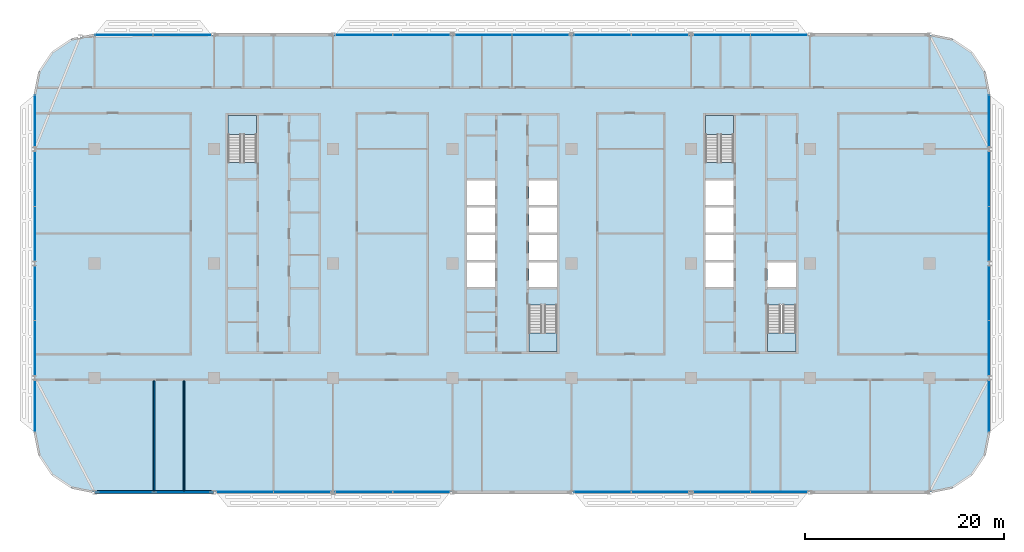
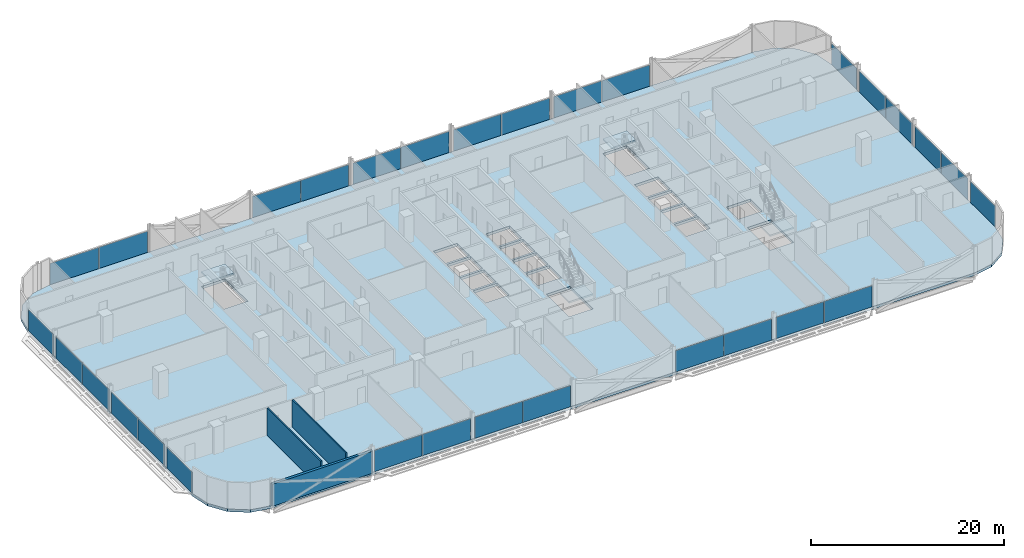
# One storey, part 10 of 27: 30 plates, 5 slabs, 3 walls, 21 elements without a shape of their own.
"""IFC4 building model written with IfcOpenShell, lengths in metres."""

import ifcopenshell
import ifcopenshell.guid

model = None  # the IFC model being written
_history = None  # IfcOwnerHistory: only IFC2X3 demands one
_inside = {}  # id of a spatial element -> (the spatial element, [elements in it])
_under = {}  # id of a project, library or spatial element -> (it, [spatial elements below it])
_declared = {}  # id of a project -> (the project, [libraries it declares])
_typed = {}  # id of a type object -> (the type object, [elements of that type])
_made_of = {}  # id of a material, layer set ... -> (it, [elements and type objects made of it])


def new_model(schema):
    """Start an empty IFC model of exactly this schema.

    Asked for "IFC4X3", IfcOpenShell would pick the latest addendum, in which some entities
    have other attributes; the version numbers below select the first issue.
    IFC2X3 requires an IfcOwnerHistory on every rooted entity: one is made here for all.
    """
    global model, _history
    if schema == "IFC4X3":
        model = ifcopenshell.file(schema_version=(4, 3, 0, 0))
    else:
        model = ifcopenshell.file(schema=schema)
    _inside.clear()
    _under.clear()
    _declared.clear()
    _typed.clear()
    _made_of.clear()
    _history = None
    if model.schema == "IFC2X3":
        org = make("IfcOrganization", Name="unknown")
        user = make(
            "IfcPersonAndOrganization",
            ThePerson=make("IfcPerson", FamilyName="unknown"),
            TheOrganization=org,
        )
        app = make(
            "IfcApplication",
            ApplicationDeveloper=org,
            Version="unknown",
            ApplicationFullName="unknown",
            ApplicationIdentifier="unknown",
        )
        _history = make(
            "IfcOwnerHistory",
            OwningUser=user,
            OwningApplication=app,
            ChangeAction="ADDED",
            CreationDate=0,
        )
    return model


def make(cls, **values):
    """One entity of the class cls with the attributes given. An attribute that is None is left unset."""
    return model.create_entity(
        cls, **{name: value for name, value in values.items() if value is not None}
    )


def rooted(cls, **values):
    """An entity with a GlobalId (a new one), such as an element, a storey or a relation."""
    return make(cls, GlobalId=ifcopenshell.guid.new(), OwnerHistory=_history, **values)


def si_unit(unit_type, name, prefix=None):
    """IfcSIUnit, for example si_unit("LENGTHUNIT", "METRE", prefix="MILLI")."""
    return make("IfcSIUnit", UnitType=unit_type, Prefix=prefix, Name=name)


def assignment(units):
    """IfcUnitAssignment: the units of a project."""
    return None if units is None else make("IfcUnitAssignment", Units=units)


def point(xyz):
    """IfcCartesianPoint."""
    return None if xyz is None else make("IfcCartesianPoint", Coordinates=xyz)


def direction(xyz):
    """IfcDirection."""
    return None if xyz is None else make("IfcDirection", DirectionRatios=xyz)


def frame(location, z_axis=None, x_axis=None):
    """IfcAxis2Placement3D, a coordinate frame: its origin and axes. An axis left out is left unset."""
    return make(
        "IfcAxis2Placement3D",
        Location=point(location),
        Axis=direction(z_axis),
        RefDirection=direction(x_axis),
    )


def frame_2d(location, x_axis=None):
    """IfcAxis2Placement2D, a coordinate frame in the plane: its origin and x axis."""
    return make(
        "IfcAxis2Placement2D", Location=point(location), RefDirection=direction(x_axis)
    )


def origin():
    """The frame at (0, 0, 0) with its axes left unset."""
    return frame((0.0, 0.0, 0.0))


def origin_2d():
    """The frame at (0, 0) in the plane with its x axis left unset."""
    return frame_2d((0.0, 0.0))


def place(relative_to, where):
    """IfcLocalPlacement: puts the frame where relative to a parent placement (None: the world)."""
    return make(
        "IfcLocalPlacement", PlacementRelTo=relative_to, RelativePlacement=where
    )


def context(
    kind, dimensions, precision=None, world=None, true_north=None, identifier=None
):
    """IfcGeometricRepresentationContext, for example the 3D "Model" context."""
    return make(
        "IfcGeometricRepresentationContext",
        ContextIdentifier=identifier,
        ContextType=kind,
        CoordinateSpaceDimension=dimensions,
        Precision=precision,
        WorldCoordinateSystem=world,
        TrueNorth=true_north,
    )


def subcontext(parent, identifier, kind, view, scale=None):
    """IfcGeometricRepresentationSubContext, for example "Body" below "Model"."""
    return make(
        "IfcGeometricRepresentationSubContext",
        ContextIdentifier=identifier,
        ContextType=kind,
        ParentContext=parent,
        TargetScale=scale,
        TargetView=view,
    )


def project(units=None, contexts=None):
    """IfcProject with its units and contexts."""
    return rooted(
        "IfcProject",
        Name="project",
        RepresentationContexts=contexts,
        UnitsInContext=assignment(units),
    )


def spatial(cls, under=None, at=None, **own):
    """A site, building, storey or space (cls), placed at a placement, below another one or the project."""
    s = rooted(cls, ObjectPlacement=at, **own)
    if under is not None:
        _under.setdefault(under.id(), (under, []))[1].append(s)
    return s


def polyline(points):
    """IfcPolyline through the points."""
    return make("IfcPolyline", Points=[point(p) for p in points])


def profile(cls, at=None, kind="AREA", **sizes):
    """A parametric profile (cls). Its sizes go by their IFC names, for example OverallWidth=200.0."""
    return make(cls, ProfileType=kind, Position=at, **sizes)


def rectangle(**sizes):
    """IfcRectangleProfileDef."""
    return profile("IfcRectangleProfileDef", **sizes)


def outline(outer, holes=None, kind="AREA"):
    """IfcArbitraryClosedProfileDef: a profile drawn as a closed curve; with holes, ...WithVoids."""
    if holes is None:
        return make("IfcArbitraryClosedProfileDef", ProfileType=kind, OuterCurve=outer)
    return make(
        "IfcArbitraryProfileDefWithVoids",
        ProfileType=kind,
        OuterCurve=outer,
        InnerCurves=holes,
    )


def extrude(swept, where, along, depth):
    """IfcExtrudedAreaSolid: the profile swept, set in the frame where, extruded along a direction by depth."""
    return make(
        "IfcExtrudedAreaSolid",
        SweptArea=swept,
        Position=where,
        ExtrudedDirection=direction(along),
        Depth=depth,
    )


def shape(context_of_items, identifier, shape_type, items):
    """IfcShapeRepresentation: the items that make up one representation, for example the "Body"."""
    return make(
        "IfcShapeRepresentation",
        ContextOfItems=context_of_items,
        RepresentationIdentifier=identifier,
        RepresentationType=shape_type,
        Items=items,
    )


def material(Name=None, Category=None):
    """IfcMaterial."""
    return make("IfcMaterial", Name=Name, Category=Category)


def layer(
    of_material, thickness, ventilated=None, Name=None, Category=None, Priority=None
):
    """IfcMaterialLayer: one layer of a wall or slab, of a material (None: an air gap)."""
    return make(
        "IfcMaterialLayer",
        Material=of_material,
        LayerThickness=thickness,
        IsVentilated=ventilated,
        Name=Name,
        Category=Category,
        Priority=Priority,
    )


def layer_set(layers, Name=None):
    """IfcMaterialLayerSet."""
    return make("IfcMaterialLayerSet", MaterialLayers=layers, LayerSetName=Name)


def made_of(thing, what):
    """Note that an element or type object is made of a material, layer set ...; save() writes the relation."""
    if what is not None:
        _made_of.setdefault(what.id(), (what, []))[1].append(thing)
    return thing


def type_object(cls, material=None, **own):
    """A type object (cls), such as IfcWallType, which elements share."""
    return made_of(rooted(cls, **own), material)


def element(
    cls,
    number,
    at=None,
    inside=None,
    cuts=None,
    type_object=None,
    material=None,
    context=None,
    identifier="Body",
    shape_type=None,
    held_by="IfcProductDefinitionShape",
    body=None,
    shapes=None,
    **own,
):
    """One element of the class cls, such as IfcWall. Its Tag is "e" and its number.

    at: its placement. inside: the storey or other place that contains it. cuts: it is an
    opening in that element (IfcRelVoidsElement). A single representation is given by context,
    identifier, shape_type and body (its items); several are given by shapes. held_by: the class
    of the entity that holds the representations. save() writes the other relations.
    """
    e = rooted(cls, Tag="e%d" % number, ObjectPlacement=at, **own)
    if body is not None:
        shapes = [shape(context, identifier, shape_type, body)]
    if shapes is not None:
        e.Representation = make(held_by, Representations=shapes)
    if inside is not None:
        _inside.setdefault(inside.id(), (inside, []))[1].append(e)
    if cuts is not None:
        rooted(
            "IfcRelVoidsElement", RelatingBuildingElement=cuts, RelatedOpeningElement=e
        )
    if type_object is not None:
        _typed.setdefault(type_object.id(), (type_object, []))[1].append(e)
    return made_of(e, material)


def aggregate(whole, parts):
    """IfcRelAggregates: a whole, such as a stair, and the parts it consists of."""
    return rooted("IfcRelAggregates", RelatingObject=whole, RelatedObjects=parts)


def save(model, path):
    """Write the relations noted so far, then the file.

    IfcRelAggregates (storeys below a building ...), IfcRelContainedInSpatialStructure (elements
    in a storey), IfcRelDefinesByType, IfcRelAssociatesMaterial and IfcRelDeclares: one each for
    every whole, place, type object, material and project.
    """
    for whole, parts in _under.values():
        aggregate(whole, parts)
    for where, things in _inside.values():
        rooted(
            "IfcRelContainedInSpatialStructure",
            RelatedElements=things,
            RelatingStructure=where,
        )
    for kind, things in _typed.values():
        rooted("IfcRelDefinesByType", RelatedObjects=things, RelatingType=kind)
    for what, things in _made_of.values():
        rooted("IfcRelAssociatesMaterial", RelatedObjects=things, RelatingMaterial=what)
    for by, libraries in _declared.values():
        rooted("IfcRelDeclares", RelatingContext=by, RelatedDefinitions=libraries)
    model.write(path)


model = new_model("IFC4")

# Units and contexts
model_context = context("Model", 3, precision=1e-05, world=origin(), true_north=direction((0.0, 1.0)))
body_context = subcontext(model_context, "Body", "Model", "MODEL_VIEW")
ifc_project = project(units=[si_unit("LENGTHUNIT", "METRE"), si_unit("AREAUNIT", "SQUARE_METRE"), si_unit("VOLUMEUNIT", "CUBIC_METRE"), si_unit("PLANEANGLEUNIT", "RADIAN"), si_unit("MASSUNIT", "GRAM", prefix="KILO")], contexts=[model_context])

# Site, building, storey
site_placement = place(None, origin())
site = spatial("IfcSite", under=ifc_project, at=site_placement, CompositionType="ELEMENT")
building_placement = place(site_placement, origin())
building = spatial("IfcBuilding", under=site, at=building_placement, Name="Mahtab Terrace Research Tower", CompositionType="ELEMENT")
storey_placement = place(building_placement, frame((0.0, 0.0, 166.800048828125)))
storey = spatial("IfcBuildingStorey", under=building, at=storey_placement, Name="L39", CompositionType="ELEMENT", Elevation=166.800048828125)

# Stair, slab
ifc_material_1 = material(Name="Exit stair half-turn")
stair_type = type_object("IfcStairType", Name="Exit stair half-turn", PredefinedType="HALF_TURN_STAIR", material=ifc_material_1)
stair_1_placement = place(storey_placement, origin())
stair_1 = element("IfcStair", 1, at=stair_1_placement, inside=storey, type_object=stair_type, Name="L39 Protected exit stair ST1", PredefinedType="HALF_TURN_STAIR")
ifc_material_2 = material(Name="Concrete C40/50", Category="concrete")
ifc_layer_1 = layer(ifc_material_2, 0.199951171875)
ifc_layer_set_1 = layer_set([ifc_layer_1], Name="Exit stair landing 200")
slab_type_1 = type_object("IfcSlabType", Name="Exit stair landing 200", PredefinedType="LANDING", material=ifc_layer_set_1)
slab_1_placement = place(storey_placement, frame((0.0, 0.0, 1.699951171875)))
slab_1 = element("IfcSlab", 2, at=slab_1_placement, type_object=slab_type_1, Name="ST1 landing 1", PredefinedType="LANDING", context=body_context, shape_type="SweptSolid", body=[
    extrude(outline(polyline([(-25.699951171875, 12.97509765625), (-25.699951171875, 14.875), (-28.550048828125, 14.875), (-28.550048828125, 12.97509765625), (-25.699951171875, 12.97509765625)])), origin(), (0.0, 0.0, 1.0), 0.199951171875),
])
aggregate(stair_1, [slab_1])

stair_2_placement = place(storey_placement, origin())
stair_2 = element("IfcStair", 3, at=stair_2_placement, inside=storey, type_object=stair_type, Name="L39 Protected exit stair ST2", PredefinedType="HALF_TURN_STAIR")
slab_2_placement = place(storey_placement, frame((0.0, 0.0, 1.699951171875)))
slab_2 = element("IfcSlab", 4, at=slab_2_placement, type_object=slab_type_1, Name="ST2 landing 1", PredefinedType="LANDING", context=body_context, shape_type="SweptSolid", body=[
    extrude(outline(polyline([(1.699951171875, -6.97509765625), (1.699951171875, -8.875), (4.550048828125, -8.875), (4.550048828125, -6.97509765625), (1.699951171875, -6.97509765625)])), origin(), (0.0, 0.0, 1.0), 0.199951171875),
])
aggregate(stair_2, [slab_2])

stair_3_placement = place(storey_placement, origin())
stair_3 = element("IfcStair", 5, at=stair_3_placement, inside=storey, type_object=stair_type, Name="L39 Protected exit stair ST3", PredefinedType="HALF_TURN_STAIR")
slab_3_placement = place(storey_placement, frame((0.0, 0.0, 1.699951171875)))
slab_3 = element("IfcSlab", 6, at=slab_3_placement, type_object=slab_type_1, Name="ST3 landing 1", PredefinedType="LANDING", context=body_context, shape_type="SweptSolid", body=[
    extrude(outline(polyline([(22.300048828125, 12.97509765625), (22.300048828125, 14.875), (19.449951171875, 14.875), (19.449951171875, 12.97509765625), (22.300048828125, 12.97509765625)])), origin(), (0.0, 0.0, 1.0), 0.199951171875),
])
aggregate(stair_3, [slab_3])

stair_4_placement = place(storey_placement, origin())
stair_4 = element("IfcStair", 7, at=stair_4_placement, inside=storey, type_object=stair_type, Name="L39 Protected exit stair ST4", PredefinedType="HALF_TURN_STAIR")
slab_4_placement = place(storey_placement, frame((0.0, 0.0, 1.699951171875)))
slab_4 = element("IfcSlab", 8, at=slab_4_placement, type_object=slab_type_1, Name="ST4 landing 1", PredefinedType="LANDING", context=body_context, shape_type="SweptSolid", body=[
    extrude(outline(polyline([(25.699951171875, -6.97509765625), (25.699951171875, -8.875), (28.550048828125, -8.875), (28.550048828125, -6.97509765625), (25.699951171875, -6.97509765625)])), origin(), (0.0, 0.0, 1.0), 0.199951171875),
])
aggregate(stair_4, [slab_4])

# Curtain wall, plates
ifc_material_3 = material(Name="Laboratory ribbon curtain wall")
curtain_wall_type = type_object("IfcCurtainWallType", Name="Laboratory ribbon curtain wall", PredefinedType="NOTDEFINED", material=ifc_material_3)
curtain_wall_1_placement = place(storey_placement, origin())
curtain_wall_1 = element("IfcCurtainWall", 9, at=curtain_wall_1_placement, inside=storey, type_object=curtain_wall_type, Name="EN.L39.3.4", PredefinedType="NOTDEFINED")
ifc_material_4 = material(Name="Dark glazing", Category="glass")
ifc_layer_2 = layer(ifc_material_4, 0.031982421875)
ifc_layer_set_2 = layer_set([ifc_layer_2], Name="Laboratory ribbon curtain wall glazing panel")
plate_type = type_object("IfcPlateType", Name="Laboratory ribbon curtain wall glazing panel", PredefinedType="CURTAIN_PANEL", material=ifc_layer_set_2)
plate_1_placement = place(storey_placement, frame((26.879638671875, 23.0, 0.0), z_axis=(0.0, 0.0, 1.0), x_axis=(-1.0, 0.0, 0.0)))
plate_1 = element("IfcPlate", 10, at=plate_1_placement, type_object=plate_type, Name="CWL-5 panel 1", PredefinedType="CURTAIN_PANEL", context=body_context, shape_type="SweptSolid", body=[
    extrude(rectangle(XDim=5.694580078125, YDim=0.031982421875, at=origin_2d()), origin(), (0.0, 0.0, 1.0), 2.681884765625),
])
plate_2_placement = place(storey_placement, frame((21.120361328125, 23.0, 0.0), z_axis=(0.0, 0.0, 1.0), x_axis=(-1.0, 0.0, 0.0)))
plate_2 = element("IfcPlate", 11, at=plate_2_placement, type_object=plate_type, Name="CWL-5 panel 2", PredefinedType="CURTAIN_PANEL", context=body_context, shape_type="SweptSolid", body=[
    extrude(rectangle(XDim=5.694580078125, YDim=0.031982421875, at=origin_2d()), origin(), (0.0, 0.0, 1.0), 2.681884765625),
])
aggregate(curtain_wall_1, [plate_1, plate_2])

curtain_wall_2_placement = place(storey_placement, origin())
curtain_wall_2 = element("IfcCurtainWall", 12, at=curtain_wall_2_placement, inside=storey, type_object=curtain_wall_type, Name="EN.L39.3.5", PredefinedType="NOTDEFINED")
plate_3_placement = place(storey_placement, frame((14.879638671875, 23.0, 0.0), z_axis=(0.0, 0.0, 1.0), x_axis=(-1.0, 0.0, 0.0)))
plate_3 = element("IfcPlate", 13, at=plate_3_placement, type_object=plate_type, Name="CWL-5 panel 1", PredefinedType="CURTAIN_PANEL", context=body_context, shape_type="SweptSolid", body=[
    extrude(rectangle(XDim=5.694580078125, YDim=0.031982421875, at=origin_2d()), origin(), (0.0, 0.0, 1.0), 2.681884765625),
])
plate_4_placement = place(storey_placement, frame((9.120361328125, 23.0, 0.0), z_axis=(0.0, 0.0, 1.0), x_axis=(-1.0, 0.0, 0.0)))
plate_4 = element("IfcPlate", 14, at=plate_4_placement, type_object=plate_type, Name="CWL-5 panel 2", PredefinedType="CURTAIN_PANEL", context=body_context, shape_type="SweptSolid", body=[
    extrude(rectangle(XDim=5.694580078125, YDim=0.031982421875, at=origin_2d()), origin(), (0.0, 0.0, 1.0), 2.681884765625),
])
aggregate(curtain_wall_2, [plate_3, plate_4])

curtain_wall_3_placement = place(storey_placement, origin())
curtain_wall_3 = element("IfcCurtainWall", 15, at=curtain_wall_3_placement, inside=storey, type_object=curtain_wall_type, Name="EN.L39.3.6", PredefinedType="NOTDEFINED")
plate_5_placement = place(storey_placement, frame((2.879638671875, 23.0, 0.0), z_axis=(0.0, 0.0, 1.0), x_axis=(-1.0, 0.0, 0.0)))
plate_5 = element("IfcPlate", 16, at=plate_5_placement, type_object=plate_type, Name="CWL-5 panel 1", PredefinedType="CURTAIN_PANEL", context=body_context, shape_type="SweptSolid", body=[
    extrude(rectangle(XDim=5.694580078125, YDim=0.031982421875, at=origin_2d()), origin(), (0.0, 0.0, 1.0), 2.681884765625),
])
plate_6_placement = place(storey_placement, frame((-2.879638671875, 23.0, 0.0), z_axis=(0.0, 0.0, 1.0), x_axis=(-1.0, 0.0, 0.0)))
plate_6 = element("IfcPlate", 17, at=plate_6_placement, type_object=plate_type, Name="CWL-5 panel 2", PredefinedType="CURTAIN_PANEL", context=body_context, shape_type="SweptSolid", body=[
    extrude(rectangle(XDim=5.694580078125, YDim=0.031982421875, at=origin_2d()), origin(), (0.0, 0.0, 1.0), 2.681884765625),
])
aggregate(curtain_wall_3, [plate_5, plate_6])

curtain_wall_4_placement = place(storey_placement, origin())
curtain_wall_4 = element("IfcCurtainWall", 18, at=curtain_wall_4_placement, inside=storey, type_object=curtain_wall_type, Name="EN.L39.3.7", PredefinedType="NOTDEFINED")
plate_7_placement = place(storey_placement, frame((-9.120361328125, 23.0, 0.0), z_axis=(0.0, 0.0, 1.0), x_axis=(-1.0, 0.0, 0.0)))
plate_7 = element("IfcPlate", 19, at=plate_7_placement, type_object=plate_type, Name="CWL-5 panel 1", PredefinedType="CURTAIN_PANEL", context=body_context, shape_type="SweptSolid", body=[
    extrude(rectangle(XDim=5.694580078125, YDim=0.031982421875, at=origin_2d()), origin(), (0.0, 0.0, 1.0), 2.681884765625),
])
plate_8_placement = place(storey_placement, frame((-14.879638671875, 23.0, 0.0), z_axis=(0.0, 0.0, 1.0), x_axis=(-1.0, 0.0, 0.0)))
plate_8 = element("IfcPlate", 20, at=plate_8_placement, type_object=plate_type, Name="CWL-5 panel 2", PredefinedType="CURTAIN_PANEL", context=body_context, shape_type="SweptSolid", body=[
    extrude(rectangle(XDim=5.694580078125, YDim=0.031982421875, at=origin_2d()), origin(), (0.0, 0.0, 1.0), 2.681884765625),
])
aggregate(curtain_wall_4, [plate_7, plate_8])

curtain_wall_5_placement = place(storey_placement, origin())
curtain_wall_5 = element("IfcCurtainWall", 21, at=curtain_wall_5_placement, inside=storey, type_object=curtain_wall_type, Name="EN.L39.3.9", PredefinedType="NOTDEFINED")
plate_9_placement = place(storey_placement, frame((-33.17236328125, 23.0, 0.0), z_axis=(0.0, 0.0, 1.0), x_axis=(-1.0, 0.0, 0.0)))
plate_9 = element("IfcPlate", 22, at=plate_9_placement, type_object=plate_type, Name="CWL-5 panel 1", PredefinedType="CURTAIN_PANEL", context=body_context, shape_type="SweptSolid", body=[
    extrude(rectangle(XDim=5.798583984375, YDim=0.031982421875, at=origin_2d()), origin(), (0.0, 0.0, 1.0), 2.681884765625),
])
plate_10_placement = place(storey_placement, frame((-39.03564453125, 23.0, 0.0), z_axis=(0.0, 0.0, 1.0), x_axis=(-1.0, 0.0, 0.0)))
plate_10 = element("IfcPlate", 23, at=plate_10_placement, type_object=plate_type, Name="CWL-5 panel 2", PredefinedType="CURTAIN_PANEL", context=body_context, shape_type="SweptSolid", body=[
    extrude(rectangle(XDim=5.798583984375, YDim=0.031982421875, at=origin_2d()), origin(), (0.0, 0.0, 1.0), 2.681884765625),
])
aggregate(curtain_wall_5, [plate_9, plate_10])

# Curtain wall, plate
curtain_wall_6_placement = place(storey_placement, origin())
curtain_wall_6 = element("IfcCurtainWall", 24, at=curtain_wall_6_placement, inside=storey, type_object=curtain_wall_type, Name="EN.L39.8.15", PredefinedType="NOTDEFINED")
plate_11_placement = place(storey_placement, frame((-48.0, 14.35400390625, 0.0), z_axis=(0.0, 0.0, 1.0), x_axis=(0.0, -1.0, 0.0)))
plate_11 = element("IfcPlate", 25, at=plate_11_placement, type_object=plate_type, Name="CWL-5 panel 1", PredefinedType="CURTAIN_PANEL", context=body_context, shape_type="SweptSolid", body=[
    extrude(rectangle(XDim=5.162109375, YDim=0.031982421875, at=origin_2d()), origin(), (0.0, 0.0, 1.0), 2.681884765625),
])
aggregate(curtain_wall_6, [plate_11])

# Curtain wall, plates
curtain_wall_7_placement = place(storey_placement, origin())
curtain_wall_7 = element("IfcCurtainWall", 26, at=curtain_wall_7_placement, inside=storey, type_object=curtain_wall_type, Name="EN.L39.8.16", PredefinedType="NOTDEFINED")
plate_12_placement = place(storey_placement, frame((-48.0, 8.504638671875, 0.0), z_axis=(0.0, 0.0, 1.0), x_axis=(0.0, -1.0, 0.0)))
plate_12 = element("IfcPlate", 27, at=plate_12_placement, type_object=plate_type, Name="CWL-5 panel 1", PredefinedType="CURTAIN_PANEL", context=body_context, shape_type="SweptSolid", body=[
    extrude(rectangle(XDim=5.444580078125, YDim=0.031982421875, at=origin_2d()), origin(), (0.0, 0.0, 1.0), 2.681884765625),
])
plate_13_placement = place(storey_placement, frame((-48.0, 2.995361328125, 0.0), z_axis=(0.0, 0.0, 1.0), x_axis=(0.0, -1.0, 0.0)))
plate_13 = element("IfcPlate", 28, at=plate_13_placement, type_object=plate_type, Name="CWL-5 panel 2", PredefinedType="CURTAIN_PANEL", context=body_context, shape_type="SweptSolid", body=[
    extrude(rectangle(XDim=5.444580078125, YDim=0.031982421875, at=origin_2d()), origin(), (0.0, 0.0, 1.0), 2.681884765625),
])
aggregate(curtain_wall_7, [plate_12, plate_13])

curtain_wall_8_placement = place(storey_placement, origin())
curtain_wall_8 = element("IfcCurtainWall", 29, at=curtain_wall_8_placement, inside=storey, type_object=curtain_wall_type, Name="EN.L39.8.17", PredefinedType="NOTDEFINED")
plate_14_placement = place(storey_placement, frame((-48.0, -2.995361328125, 0.0), z_axis=(0.0, 0.0, 1.0), x_axis=(0.0, -1.0, 0.0)))
plate_14 = element("IfcPlate", 30, at=plate_14_placement, type_object=plate_type, Name="CWL-5 panel 1", PredefinedType="CURTAIN_PANEL", context=body_context, shape_type="SweptSolid", body=[
    extrude(rectangle(XDim=5.444580078125, YDim=0.031982421875, at=origin_2d()), origin(), (0.0, 0.0, 1.0), 2.681884765625),
])
plate_15_placement = place(storey_placement, frame((-48.0, -8.504638671875, 0.0), z_axis=(0.0, 0.0, 1.0), x_axis=(0.0, -1.0, 0.0)))
plate_15 = element("IfcPlate", 31, at=plate_15_placement, type_object=plate_type, Name="CWL-5 panel 2", PredefinedType="CURTAIN_PANEL", context=body_context, shape_type="SweptSolid", body=[
    extrude(rectangle(XDim=5.444580078125, YDim=0.031982421875, at=origin_2d()), origin(), (0.0, 0.0, 1.0), 2.681884765625),
])
aggregate(curtain_wall_8, [plate_14, plate_15])

# Curtain wall, plate
curtain_wall_9_placement = place(storey_placement, origin())
curtain_wall_9 = element("IfcCurtainWall", 32, at=curtain_wall_9_placement, inside=storey, type_object=curtain_wall_type, Name="EN.L39.8.18", PredefinedType="NOTDEFINED")
plate_16_placement = place(storey_placement, frame((-48.0, -14.35400390625, 0.0), z_axis=(0.0, 0.0, 1.0), x_axis=(0.0, -1.0, 0.0)))
plate_16 = element("IfcPlate", 33, at=plate_16_placement, type_object=plate_type, Name="CWL-5 panel 1", PredefinedType="CURTAIN_PANEL", context=body_context, shape_type="SweptSolid", body=[
    extrude(rectangle(XDim=5.162109375, YDim=0.031982421875, at=origin_2d()), origin(), (0.0, 0.0, 1.0), 2.681884765625),
])
aggregate(curtain_wall_9, [plate_16])

# Curtain wall, plates
curtain_wall_10_placement = place(storey_placement, origin())
curtain_wall_10 = element("IfcCurtainWall", 34, at=curtain_wall_10_placement, inside=storey, type_object=curtain_wall_type, Name="EN.L39.13.24", PredefinedType="NOTDEFINED")
plate_17_placement = place(storey_placement, frame((-26.879638671875, -23.0, 0.0), z_axis=(0.0, 0.0, 1.0), x_axis=(1.0, 0.0, 0.0)))
plate_17 = element("IfcPlate", 35, at=plate_17_placement, type_object=plate_type, Name="CWL-5 panel 1", PredefinedType="CURTAIN_PANEL", context=body_context, shape_type="SweptSolid", body=[
    extrude(rectangle(XDim=5.694580078125, YDim=0.031982421875, at=origin_2d()), origin(), (0.0, 0.0, 1.0), 2.681884765625),
])
plate_18_placement = place(storey_placement, frame((-21.120361328125, -23.0, 0.0), z_axis=(0.0, 0.0, 1.0), x_axis=(1.0, 0.0, 0.0)))
plate_18 = element("IfcPlate", 36, at=plate_18_placement, type_object=plate_type, Name="CWL-5 panel 2", PredefinedType="CURTAIN_PANEL", context=body_context, shape_type="SweptSolid", body=[
    extrude(rectangle(XDim=5.694580078125, YDim=0.031982421875, at=origin_2d()), origin(), (0.0, 0.0, 1.0), 2.681884765625),
])
aggregate(curtain_wall_10, [plate_17, plate_18])

curtain_wall_11_placement = place(storey_placement, origin())
curtain_wall_11 = element("IfcCurtainWall", 37, at=curtain_wall_11_placement, inside=storey, type_object=curtain_wall_type, Name="EN.L39.13.25", PredefinedType="NOTDEFINED")
plate_19_placement = place(storey_placement, frame((-14.879638671875, -23.0, 0.0), z_axis=(0.0, 0.0, 1.0), x_axis=(1.0, 0.0, 0.0)))
plate_19 = element("IfcPlate", 38, at=plate_19_placement, type_object=plate_type, Name="CWL-5 panel 1", PredefinedType="CURTAIN_PANEL", context=body_context, shape_type="SweptSolid", body=[
    extrude(rectangle(XDim=5.694580078125, YDim=0.031982421875, at=origin_2d()), origin(), (0.0, 0.0, 1.0), 2.681884765625),
])
plate_20_placement = place(storey_placement, frame((-9.120361328125, -23.0, 0.0), z_axis=(0.0, 0.0, 1.0), x_axis=(1.0, 0.0, 0.0)))
plate_20 = element("IfcPlate", 39, at=plate_20_placement, type_object=plate_type, Name="CWL-5 panel 2", PredefinedType="CURTAIN_PANEL", context=body_context, shape_type="SweptSolid", body=[
    extrude(rectangle(XDim=5.694580078125, YDim=0.031982421875, at=origin_2d()), origin(), (0.0, 0.0, 1.0), 2.681884765625),
])
aggregate(curtain_wall_11, [plate_19, plate_20])

curtain_wall_12_placement = place(storey_placement, origin())
curtain_wall_12 = element("IfcCurtainWall", 40, at=curtain_wall_12_placement, inside=storey, type_object=curtain_wall_type, Name="EN.L39.13.27", PredefinedType="NOTDEFINED")
plate_21_placement = place(storey_placement, frame((9.120361328125, -23.0, 0.0), z_axis=(0.0, 0.0, 1.0), x_axis=(1.0, 0.0, 0.0)))
plate_21 = element("IfcPlate", 41, at=plate_21_placement, type_object=plate_type, Name="CWL-5 panel 1", PredefinedType="CURTAIN_PANEL", context=body_context, shape_type="SweptSolid", body=[
    extrude(rectangle(XDim=5.694580078125, YDim=0.031982421875, at=origin_2d()), origin(), (0.0, 0.0, 1.0), 2.681884765625),
])
plate_22_placement = place(storey_placement, frame((14.879638671875, -23.0, 0.0), z_axis=(0.0, 0.0, 1.0), x_axis=(1.0, 0.0, 0.0)))
plate_22 = element("IfcPlate", 42, at=plate_22_placement, type_object=plate_type, Name="CWL-5 panel 2", PredefinedType="CURTAIN_PANEL", context=body_context, shape_type="SweptSolid", body=[
    extrude(rectangle(XDim=5.694580078125, YDim=0.031982421875, at=origin_2d()), origin(), (0.0, 0.0, 1.0), 2.681884765625),
])
aggregate(curtain_wall_12, [plate_21, plate_22])

curtain_wall_13_placement = place(storey_placement, origin())
curtain_wall_13 = element("IfcCurtainWall", 43, at=curtain_wall_13_placement, inside=storey, type_object=curtain_wall_type, Name="EN.L39.13.28", PredefinedType="NOTDEFINED")
plate_23_placement = place(storey_placement, frame((21.120361328125, -23.0, 0.0), z_axis=(0.0, 0.0, 1.0), x_axis=(1.0, 0.0, 0.0)))
plate_23 = element("IfcPlate", 44, at=plate_23_placement, type_object=plate_type, Name="CWL-5 panel 1", PredefinedType="CURTAIN_PANEL", context=body_context, shape_type="SweptSolid", body=[
    extrude(rectangle(XDim=5.694580078125, YDim=0.031982421875, at=origin_2d()), origin(), (0.0, 0.0, 1.0), 2.681884765625),
])
plate_24_placement = place(storey_placement, frame((26.879638671875, -23.0, 0.0), z_axis=(0.0, 0.0, 1.0), x_axis=(1.0, 0.0, 0.0)))
plate_24 = element("IfcPlate", 45, at=plate_24_placement, type_object=plate_type, Name="CWL-5 panel 2", PredefinedType="CURTAIN_PANEL", context=body_context, shape_type="SweptSolid", body=[
    extrude(rectangle(XDim=5.694580078125, YDim=0.031982421875, at=origin_2d()), origin(), (0.0, 0.0, 1.0), 2.681884765625),
])
aggregate(curtain_wall_13, [plate_23, plate_24])

# Curtain wall, plate
curtain_wall_14_placement = place(storey_placement, origin())
curtain_wall_14 = element("IfcCurtainWall", 46, at=curtain_wall_14_placement, inside=storey, type_object=curtain_wall_type, Name="EN.L39.18.34", PredefinedType="NOTDEFINED")
plate_25_placement = place(storey_placement, frame((48.0, -14.35400390625, 0.0), z_axis=(0.0, 0.0, 1.0), x_axis=(0.0, 1.0, 0.0)))
plate_25 = element("IfcPlate", 47, at=plate_25_placement, type_object=plate_type, Name="CWL-5 panel 1", PredefinedType="CURTAIN_PANEL", context=body_context, shape_type="SweptSolid", body=[
    extrude(rectangle(XDim=5.162109375, YDim=0.031982421875, at=origin_2d()), origin(), (0.0, 0.0, 1.0), 2.681884765625),
])
aggregate(curtain_wall_14, [plate_25])

# Curtain wall, plates
curtain_wall_15_placement = place(storey_placement, origin())
curtain_wall_15 = element("IfcCurtainWall", 48, at=curtain_wall_15_placement, inside=storey, type_object=curtain_wall_type, Name="EN.L39.18.35", PredefinedType="NOTDEFINED")
plate_26_placement = place(storey_placement, frame((48.0, -8.504638671875, 0.0), z_axis=(0.0, 0.0, 1.0), x_axis=(0.0, 1.0, 0.0)))
plate_26 = element("IfcPlate", 49, at=plate_26_placement, type_object=plate_type, Name="CWL-5 panel 1", PredefinedType="CURTAIN_PANEL", context=body_context, shape_type="SweptSolid", body=[
    extrude(rectangle(XDim=5.444580078125, YDim=0.031982421875, at=origin_2d()), origin(), (0.0, 0.0, 1.0), 2.681884765625),
])
plate_27_placement = place(storey_placement, frame((48.0, -2.995361328125, 0.0), z_axis=(0.0, 0.0, 1.0), x_axis=(0.0, 1.0, 0.0)))
plate_27 = element("IfcPlate", 50, at=plate_27_placement, type_object=plate_type, Name="CWL-5 panel 2", PredefinedType="CURTAIN_PANEL", context=body_context, shape_type="SweptSolid", body=[
    extrude(rectangle(XDim=5.444580078125, YDim=0.031982421875, at=origin_2d()), origin(), (0.0, 0.0, 1.0), 2.681884765625),
])
aggregate(curtain_wall_15, [plate_26, plate_27])

curtain_wall_16_placement = place(storey_placement, origin())
curtain_wall_16 = element("IfcCurtainWall", 51, at=curtain_wall_16_placement, inside=storey, type_object=curtain_wall_type, Name="EN.L39.18.36", PredefinedType="NOTDEFINED")
plate_28_placement = place(storey_placement, frame((48.0, 2.995361328125, 0.0), z_axis=(0.0, 0.0, 1.0), x_axis=(0.0, 1.0, 0.0)))
plate_28 = element("IfcPlate", 52, at=plate_28_placement, type_object=plate_type, Name="CWL-5 panel 1", PredefinedType="CURTAIN_PANEL", context=body_context, shape_type="SweptSolid", body=[
    extrude(rectangle(XDim=5.444580078125, YDim=0.031982421875, at=origin_2d()), origin(), (0.0, 0.0, 1.0), 2.681884765625),
])
plate_29_placement = place(storey_placement, frame((48.0, 8.504638671875, 0.0), z_axis=(0.0, 0.0, 1.0), x_axis=(0.0, 1.0, 0.0)))
plate_29 = element("IfcPlate", 53, at=plate_29_placement, type_object=plate_type, Name="CWL-5 panel 2", PredefinedType="CURTAIN_PANEL", context=body_context, shape_type="SweptSolid", body=[
    extrude(rectangle(XDim=5.444580078125, YDim=0.031982421875, at=origin_2d()), origin(), (0.0, 0.0, 1.0), 2.681884765625),
])
aggregate(curtain_wall_16, [plate_28, plate_29])

# Curtain wall, plate
curtain_wall_17_placement = place(storey_placement, origin())
curtain_wall_17 = element("IfcCurtainWall", 54, at=curtain_wall_17_placement, inside=storey, type_object=curtain_wall_type, Name="EN.L39.18.37", PredefinedType="NOTDEFINED")
plate_30_placement = place(storey_placement, frame((48.0, 14.35400390625, 0.0), z_axis=(0.0, 0.0, 1.0), x_axis=(0.0, 1.0, 0.0)))
plate_30 = element("IfcPlate", 55, at=plate_30_placement, type_object=plate_type, Name="CWL-5 panel 1", PredefinedType="CURTAIN_PANEL", context=body_context, shape_type="SweptSolid", body=[
    extrude(rectangle(XDim=5.162109375, YDim=0.031982421875, at=origin_2d()), origin(), (0.0, 0.0, 1.0), 2.681884765625),
])
aggregate(curtain_wall_17, [plate_30])

# Slab
ifc_layer_3 = layer(ifc_material_2, 0.340087890625)
ifc_layer_set_3 = layer_set([ifc_layer_3], Name="PT flat slab 340")
slab_type_2 = type_object("IfcSlabType", Name="PT flat slab 340", PredefinedType="FLOOR", material=ifc_layer_set_3)
slab_5_placement = place(storey_placement, frame((0.0, 0.0, -0.340087890625)))
element("IfcSlab", 56, at=slab_5_placement, inside=storey, type_object=slab_type_2, Name="Floor slab L39", PredefinedType="FLOOR", context=body_context, shape_type="SweptSolid", body=[
    extrude(outline(polyline([(47.54296875, 19.2958984375), (46.242919921875, 21.242919921875), (44.2958984375, 22.54296875), (42.0, 23.0), (-42.0, 23.0), (-44.2958984375, 22.54296875), (-46.242919921875, 21.242919921875), (-47.54296875, 19.2958984375), (-48.0, 17.0), (-48.0, -17.0), (-47.54296875, -19.2958984375), (-46.242919921875, -21.242919921875), (-44.2958984375, -22.54296875), (-42.0, -23.0), (42.0, -23.0), (44.2958984375, -22.54296875), (46.242919921875, -21.242919921875), (47.54296875, -19.2958984375), (48.0, -17.0), (48.0, 17.0), (47.54296875, 19.2958984375)]), holes=[polyline([(-4.550048828125, -2.375), (-4.550048828125, 0.125), (-1.699951171875, 0.125), (-1.699951171875, -2.375), (-4.550048828125, -2.375)]), polyline([(1.699951171875, -2.375), (1.699951171875, 0.125), (4.550048828125, 0.125), (4.550048828125, -2.375), (1.699951171875, -2.375)]), polyline([(-4.550048828125, 0.375), (-4.550048828125, 2.875), (-1.699951171875, 2.875), (-1.699951171875, 0.375), (-4.550048828125, 0.375)]), polyline([(1.699951171875, 0.375), (1.699951171875, 2.875), (4.550048828125, 2.875), (4.550048828125, 0.375), (1.699951171875, 0.375)]), polyline([(-4.550048828125, 3.125), (-4.550048828125, 5.625), (-1.699951171875, 5.625), (-1.699951171875, 3.125), (-4.550048828125, 3.125)]), polyline([(1.699951171875, 3.125), (1.699951171875, 5.625), (4.550048828125, 5.625), (4.550048828125, 3.125), (1.699951171875, 3.125)]), polyline([(-4.550048828125, 5.875), (-4.550048828125, 8.375), (-1.699951171875, 8.375), (-1.699951171875, 5.875), (-4.550048828125, 5.875)]), polyline([(1.699951171875, 5.875), (1.699951171875, 8.375), (4.550048828125, 8.375), (4.550048828125, 5.875), (1.699951171875, 5.875)]), polyline([(-28.550048828125, 10.177001953125), (-28.550048828125, 14.875), (-25.699951171875, 14.875), (-25.699951171875, 10.177001953125), (-28.550048828125, 10.177001953125)]), polyline([(1.699951171875, -8.875), (1.699951171875, -4.177001953125), (4.550048828125, -4.177001953125), (4.550048828125, -8.875), (1.699951171875, -8.875)]), polyline([(25.699951171875, -8.875), (25.699951171875, -4.177001953125), (28.550048828125, -4.177001953125), (28.550048828125, -8.875), (25.699951171875, -8.875)]), polyline([(19.449951171875, -2.375), (19.449951171875, 0.125), (22.300048828125, 0.125), (22.300048828125, -2.375), (19.449951171875, -2.375)]), polyline([(25.699951171875, -2.375), (25.699951171875, 0.125), (28.550048828125, 0.125), (28.550048828125, -2.375), (25.699951171875, -2.375)]), polyline([(19.449951171875, 0.375), (19.449951171875, 2.875), (22.300048828125, 2.875), (22.300048828125, 0.375), (19.449951171875, 0.375)]), polyline([(19.449951171875, 3.125), (19.449951171875, 5.625), (22.300048828125, 5.625), (22.300048828125, 3.125), (19.449951171875, 3.125)]), polyline([(19.449951171875, 8.375), (22.300048828125, 8.375), (22.300048828125, 5.875), (19.449951171875, 5.875), (19.449951171875, 8.375)]), polyline([(19.449951171875, 14.875), (22.300048828125, 14.875), (22.300048828125, 10.177001953125), (19.449951171875, 10.177001953125), (19.449951171875, 14.875)])]), origin(), (0.0, 0.0, 1.0), 0.340087890625),
])

# Walls
ifc_material_5 = material(Name="Black aluminium cladding panel", Category="aluminium")
ifc_layer_4 = layer(ifc_material_5, 0.300048828125)
ifc_layer_set_4 = layer_set([ifc_layer_4], Name="Opaque facade wall 300")
wall_type_1 = type_object("IfcWallType", Name="Opaque facade wall 300", PredefinedType="NOTDEFINED", material=ifc_layer_set_4)
wall_placement = place(storey_placement, frame((-41.985107421875, -23.0, 0.0), z_axis=(0.0, 0.0, 1.0), x_axis=(1.0, 0.0, 0.0)))
element("IfcWall", 57, at=wall_placement, inside=storey, type_object=wall_type_1, Name="Opaque facade wall L39 S23", PredefinedType="NOTDEFINED", context=body_context, shape_type="SweptSolid", body=[
    extrude(rectangle(XDim=11.97021484375, YDim=0.300048828125, at=frame_2d((5.985107421875, 0.0))), origin(), (0.0, 0.0, 1.0), 2.78173828125),
])
ifc_material_6 = material(Name="Gypsum board partition on steel studs", Category="steel")
ifc_layer_5 = layer(ifc_material_6, 0.14990234375)
ifc_layer_set_5 = layer_set([ifc_layer_5], Name="WALL PARTITION 150")
wall_type_2 = type_object("IfcWallType", Name="WALL PARTITION 150", PredefinedType="PARTITIONING", material=ifc_layer_set_5)
for number, where, z_axis, x_axis, name in (
    (58, (-36.0, -22.85009765625, 0.0), (0.0, 0.0, 1.0), (0.0, 1.0, 0.0), "L39-W030"),
    (59, (-33.0, -22.85009765625, 0.0), (0.0, 0.0, 1.0), (0.0, 1.0, 0.0), "L39-W031"),
):
    element("IfcWall", number, at=place(storey_placement, frame(where, z_axis=z_axis, x_axis=x_axis)), inside=storey, type_object=wall_type_2, Name=name, PredefinedType="PARTITIONING", context=body_context, shape_type="SweptSolid", body=[
        extrude(rectangle(XDim=11.050048828125, YDim=0.14990234375, at=frame_2d((5.52490234375, 0.0))), origin(), (0.0, 0.0, 1.0), 3.4599609375),
    ])

save(model, "model.ifc")
